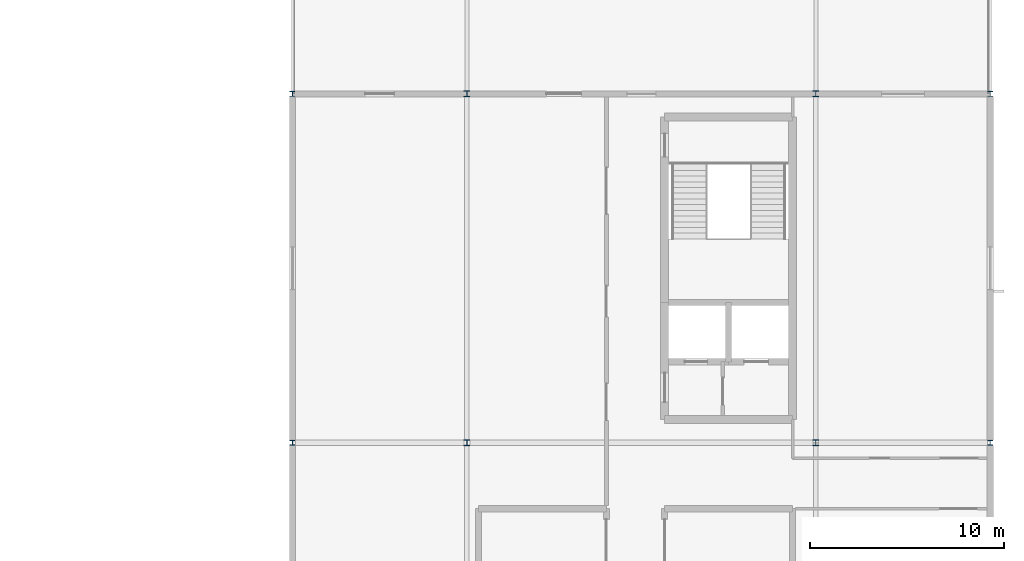
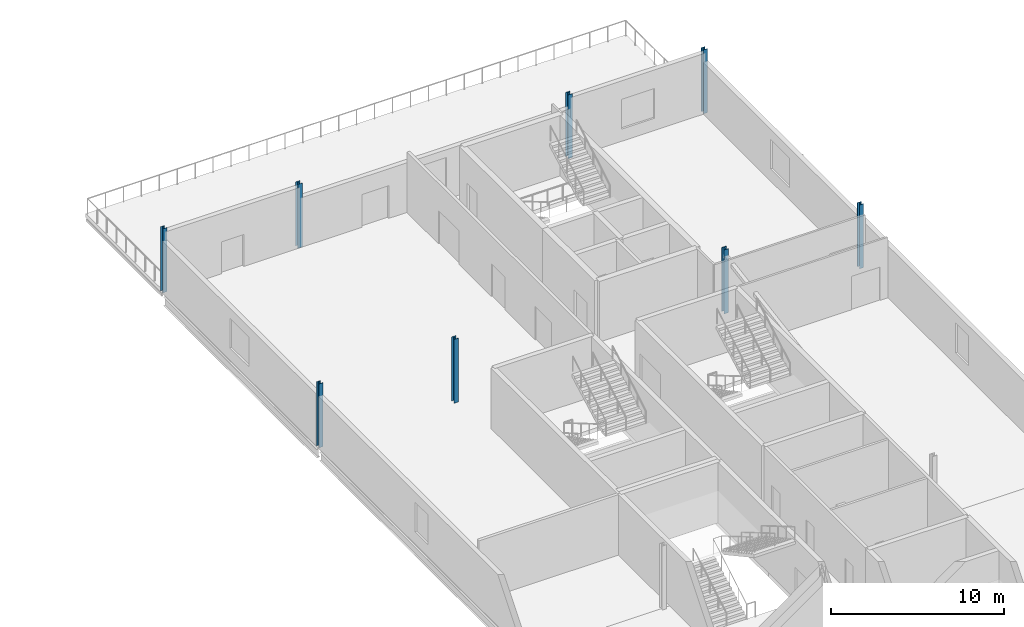
# One storey, part 8 of 28: 8 columns.
"""IFC4 building model written with IfcOpenShell, lengths in metres."""

from ifc_helpers import new_model, si_unit, direction, frame, origin, origin_2d, place, context, subcontext, project, spatial, i_section, extrude, material, material_profile, profile_set, type_object, element, save


model = new_model("IFC4")

# Units and contexts
model_context = context("Model", 3, precision=1e-05, world=origin(), true_north=direction((0.0, 1.0)))
body_context = subcontext(model_context, "Body", "Model", "MODEL_VIEW")
ifc_project = project(units=[si_unit("LENGTHUNIT", "METRE"), si_unit("AREAUNIT", "SQUARE_METRE"), si_unit("VOLUMEUNIT", "CUBIC_METRE"), si_unit("PLANEANGLEUNIT", "RADIAN"), si_unit("MASSUNIT", "GRAM", prefix="KILO")], contexts=[model_context])

# Site, building, storey
site_placement = place(None, origin())
site = spatial("IfcSite", under=ifc_project, at=site_placement, CompositionType="ELEMENT")
building_placement = place(site_placement, origin())
building = spatial("IfcBuilding", under=site, at=building_placement, Name="Kisiwana Market Hall", CompositionType="ELEMENT")
storey_placement = place(building_placement, frame((0.0, 0.0, 49.5)))
storey = spatial("IfcBuildingStorey", under=building, at=storey_placement, Name="L11", CompositionType="ELEMENT", Elevation=49.5)

# Columns
ifc_material_1 = material(Name="Steel S355", Category="steel")
ifc_material_profile_1 = material_profile(ifc_material_1, i_section(OverallWidth=0.300048828125, OverallDepth=0.300048828125, WebThickness=0.010986328125, FlangeThickness=0.01904296875, FilletRadius=0.027099609375, at=origin_2d()), Name="HEB 300")
ifc_profile_set_1 = profile_set([ifc_material_profile_1], Name="Steel S355")
column_type_1 = type_object("IfcColumnType", Name="COL-STL-HEB300", PredefinedType="COLUMN", material=ifc_profile_set_1)
for number, where, z_axis, x_axis, name in (
    (1, (171.0, 84.0, 0.0), (0.0, 0.0, 1.0), (1.0, 0.0, 0.0), "Column L/20 (L11) C-1347"),
    (2, (171.0, 102.0, 0.0), (0.0, 0.0, 1.0), (1.0, 0.0, 0.0), "Column N/20 (L11) C-1348"),
    (3, (189.0, 84.0, 0.0), (0.0, 0.0, 1.0), (1.0, 0.0, 0.0), "Column L/22 (L11) C-1351"),
    (4, (189.0, 102.0, 0.0), (0.0, 0.0, 1.0), (1.0, 0.0, 0.0), "Column N/22 (L11) C-1352"),
):
    element("IfcColumn", number, at=place(storey_placement, frame(where, z_axis=z_axis, x_axis=x_axis)), inside=storey, type_object=column_type_1, Name=name, PredefinedType="COLUMN", context=body_context, shape_type="SweptSolid", body=[
        extrude(i_section(OverallWidth=0.300048828125, OverallDepth=0.300048828125, WebThickness=0.010986328125, FlangeThickness=0.01904296875, FilletRadius=0.027099609375, at=origin_2d()), origin(), (0.0, 0.0, 1.0), 4.5),
    ])
ifc_material_2 = material(Name="Steel S355", Category="steel")
ifc_material_profile_2 = material_profile(ifc_material_2, i_section(OverallWidth=0.2587890625, OverallDepth=0.2666015625, WebThickness=0.0126953125, FlangeThickness=0.0205078125, at=origin_2d()), Name="UC 254x254x107")
ifc_profile_set_2 = profile_set([ifc_material_profile_2], Name="Steel S355")
column_type_2 = type_object("IfcColumnType", Name="COL-STL-UC107", PredefinedType="COLUMN", material=ifc_profile_set_2)
for number, where, z_axis, x_axis, name in (
    (5, (162.0, 84.0, 0.0), (0.0, 0.0, 1.0), (1.0, 0.0, 0.0), "Column L/19 (L11) C-1342"),
    (6, (162.0, 102.0, 0.0), (0.0, 0.0, 1.0), (1.0, 0.0, 0.0), "Column N/19 (L11) C-1343"),
    (7, (198.0, 84.0, 0.0), (0.0, 0.0, 1.0), (1.0, 0.0, 0.0), "Column L/23 (L11) C-1356"),
    (8, (198.0, 102.0, 0.0), (0.0, 0.0, 1.0), (1.0, 0.0, 0.0), "Column N/23 (L11) C-1357"),
):
    element("IfcColumn", number, at=place(storey_placement, frame(where, z_axis=z_axis, x_axis=x_axis)), inside=storey, type_object=column_type_2, Name=name, PredefinedType="COLUMN", context=body_context, shape_type="SweptSolid", body=[
        extrude(i_section(OverallWidth=0.2587890625, OverallDepth=0.2666015625, WebThickness=0.0126953125, FlangeThickness=0.0205078125, at=origin_2d()), origin(), (0.0, 0.0, 1.0), 4.5),
    ])

save(model, "model.ifc")
